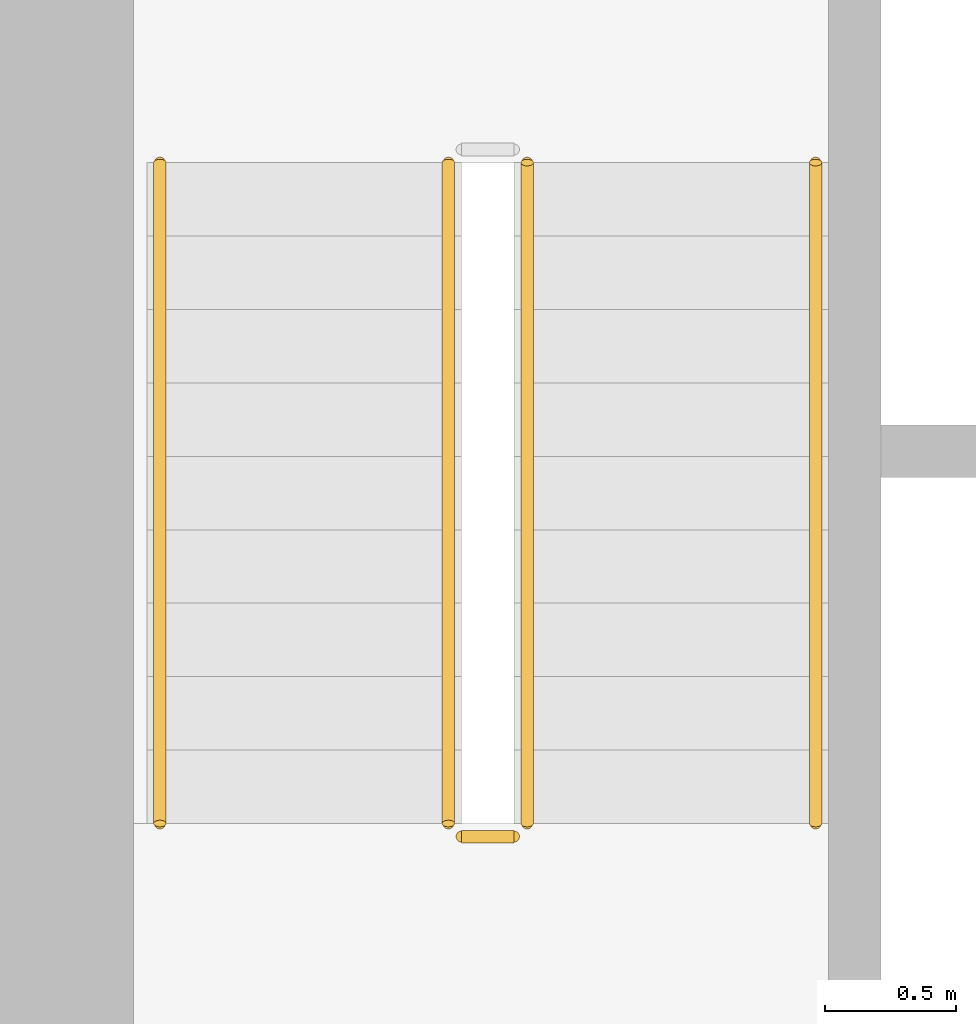
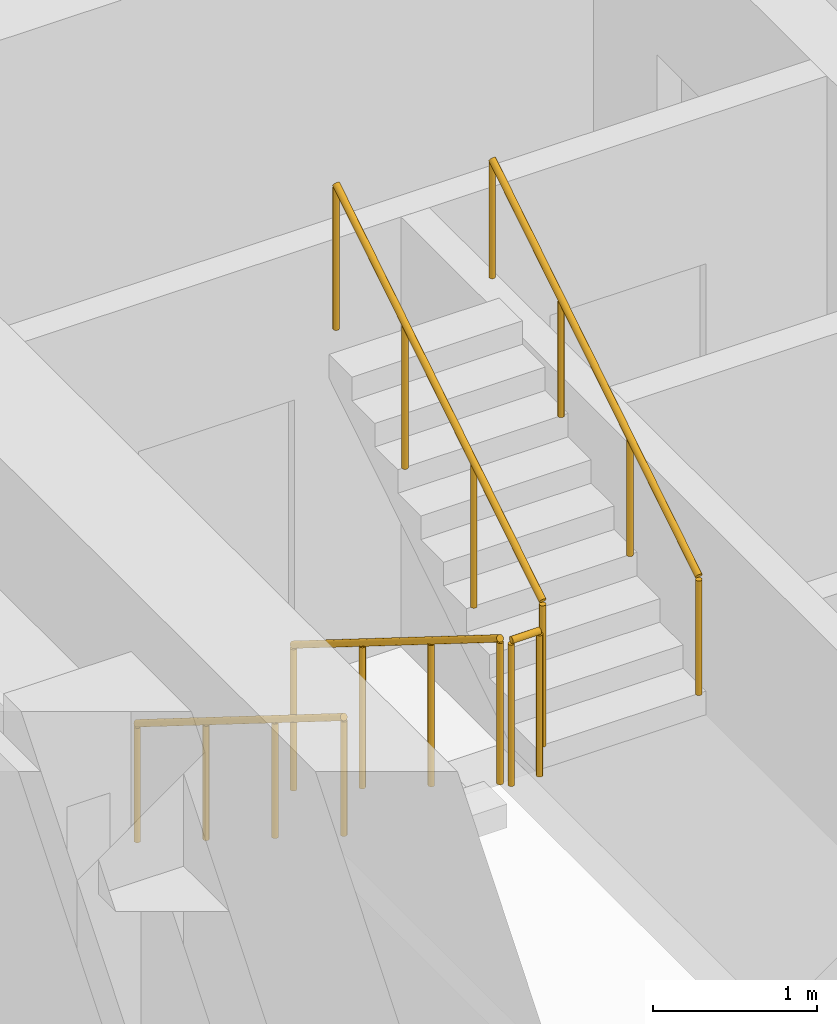
# One storey, part 14 of 21: 5 railings.
"""IFC4 building model written with IfcOpenShell, lengths in metres."""

import ifcopenshell
import ifcopenshell.guid

model = None  # the IFC model being written
_history = None  # IfcOwnerHistory: only IFC2X3 demands one
_inside = {}  # id of a spatial element -> (the spatial element, [elements in it])
_under = {}  # id of a project, library or spatial element -> (it, [spatial elements below it])
_declared = {}  # id of a project -> (the project, [libraries it declares])
_typed = {}  # id of a type object -> (the type object, [elements of that type])
_made_of = {}  # id of a material, layer set ... -> (it, [elements and type objects made of it])


def new_model(schema):
    """Start an empty IFC model of exactly this schema.

    Asked for "IFC4X3", IfcOpenShell would pick the latest addendum, in which some entities
    have other attributes; the version numbers below select the first issue.
    IFC2X3 requires an IfcOwnerHistory on every rooted entity: one is made here for all.
    """
    global model, _history
    if schema == "IFC4X3":
        model = ifcopenshell.file(schema_version=(4, 3, 0, 0))
    else:
        model = ifcopenshell.file(schema=schema)
    _inside.clear()
    _under.clear()
    _declared.clear()
    _typed.clear()
    _made_of.clear()
    _history = None
    if model.schema == "IFC2X3":
        org = make("IfcOrganization", Name="unknown")
        user = make(
            "IfcPersonAndOrganization",
            ThePerson=make("IfcPerson", FamilyName="unknown"),
            TheOrganization=org,
        )
        app = make(
            "IfcApplication",
            ApplicationDeveloper=org,
            Version="unknown",
            ApplicationFullName="unknown",
            ApplicationIdentifier="unknown",
        )
        _history = make(
            "IfcOwnerHistory",
            OwningUser=user,
            OwningApplication=app,
            ChangeAction="ADDED",
            CreationDate=0,
        )
    return model


def make(cls, **values):
    """One entity of the class cls with the attributes given. An attribute that is None is left unset."""
    return model.create_entity(
        cls, **{name: value for name, value in values.items() if value is not None}
    )


def rooted(cls, **values):
    """An entity with a GlobalId (a new one), such as an element, a storey or a relation."""
    return make(cls, GlobalId=ifcopenshell.guid.new(), OwnerHistory=_history, **values)


def si_unit(unit_type, name, prefix=None):
    """IfcSIUnit, for example si_unit("LENGTHUNIT", "METRE", prefix="MILLI")."""
    return make("IfcSIUnit", UnitType=unit_type, Prefix=prefix, Name=name)


def assignment(units):
    """IfcUnitAssignment: the units of a project."""
    return None if units is None else make("IfcUnitAssignment", Units=units)


def point(xyz):
    """IfcCartesianPoint."""
    return None if xyz is None else make("IfcCartesianPoint", Coordinates=xyz)


def direction(xyz):
    """IfcDirection."""
    return None if xyz is None else make("IfcDirection", DirectionRatios=xyz)


def frame(location, z_axis=None, x_axis=None):
    """IfcAxis2Placement3D, a coordinate frame: its origin and axes. An axis left out is left unset."""
    return make(
        "IfcAxis2Placement3D",
        Location=point(location),
        Axis=direction(z_axis),
        RefDirection=direction(x_axis),
    )


def frame_2d(location, x_axis=None):
    """IfcAxis2Placement2D, a coordinate frame in the plane: its origin and x axis."""
    return make(
        "IfcAxis2Placement2D", Location=point(location), RefDirection=direction(x_axis)
    )


def origin():
    """The frame at (0, 0, 0) with its axes left unset."""
    return frame((0.0, 0.0, 0.0))


def origin_2d():
    """The frame at (0, 0) in the plane with its x axis left unset."""
    return frame_2d((0.0, 0.0))


def place(relative_to, where):
    """IfcLocalPlacement: puts the frame where relative to a parent placement (None: the world)."""
    return make(
        "IfcLocalPlacement", PlacementRelTo=relative_to, RelativePlacement=where
    )


def context(
    kind, dimensions, precision=None, world=None, true_north=None, identifier=None
):
    """IfcGeometricRepresentationContext, for example the 3D "Model" context."""
    return make(
        "IfcGeometricRepresentationContext",
        ContextIdentifier=identifier,
        ContextType=kind,
        CoordinateSpaceDimension=dimensions,
        Precision=precision,
        WorldCoordinateSystem=world,
        TrueNorth=true_north,
    )


def subcontext(parent, identifier, kind, view, scale=None):
    """IfcGeometricRepresentationSubContext, for example "Body" below "Model"."""
    return make(
        "IfcGeometricRepresentationSubContext",
        ContextIdentifier=identifier,
        ContextType=kind,
        ParentContext=parent,
        TargetScale=scale,
        TargetView=view,
    )


def project(units=None, contexts=None):
    """IfcProject with its units and contexts."""
    return rooted(
        "IfcProject",
        Name="project",
        RepresentationContexts=contexts,
        UnitsInContext=assignment(units),
    )


def spatial(cls, under=None, at=None, **own):
    """A site, building, storey or space (cls), placed at a placement, below another one or the project."""
    s = rooted(cls, ObjectPlacement=at, **own)
    if under is not None:
        _under.setdefault(under.id(), (under, []))[1].append(s)
    return s


def profile(cls, at=None, kind="AREA", **sizes):
    """A parametric profile (cls). Its sizes go by their IFC names, for example OverallWidth=200.0."""
    return make(cls, ProfileType=kind, Position=at, **sizes)


def circle(**sizes):
    """IfcCircleProfileDef."""
    return profile("IfcCircleProfileDef", **sizes)


def extrude(swept, where, along, depth):
    """IfcExtrudedAreaSolid: the profile swept, set in the frame where, extruded along a direction by depth."""
    return make(
        "IfcExtrudedAreaSolid",
        SweptArea=swept,
        Position=where,
        ExtrudedDirection=direction(along),
        Depth=depth,
    )


def shape(context_of_items, identifier, shape_type, items):
    """IfcShapeRepresentation: the items that make up one representation, for example the "Body"."""
    return make(
        "IfcShapeRepresentation",
        ContextOfItems=context_of_items,
        RepresentationIdentifier=identifier,
        RepresentationType=shape_type,
        Items=items,
    )


def material(Name=None, Category=None):
    """IfcMaterial."""
    return make("IfcMaterial", Name=Name, Category=Category)


def made_of(thing, what):
    """Note that an element or type object is made of a material, layer set ...; save() writes the relation."""
    if what is not None:
        _made_of.setdefault(what.id(), (what, []))[1].append(thing)
    return thing


def type_object(cls, material=None, **own):
    """A type object (cls), such as IfcWallType, which elements share."""
    return made_of(rooted(cls, **own), material)


def element(
    cls,
    number,
    at=None,
    inside=None,
    cuts=None,
    type_object=None,
    material=None,
    context=None,
    identifier="Body",
    shape_type=None,
    held_by="IfcProductDefinitionShape",
    body=None,
    shapes=None,
    **own,
):
    """One element of the class cls, such as IfcWall. Its Tag is "e" and its number.

    at: its placement. inside: the storey or other place that contains it. cuts: it is an
    opening in that element (IfcRelVoidsElement). A single representation is given by context,
    identifier, shape_type and body (its items); several are given by shapes. held_by: the class
    of the entity that holds the representations. save() writes the other relations.
    """
    e = rooted(cls, Tag="e%d" % number, ObjectPlacement=at, **own)
    if body is not None:
        shapes = [shape(context, identifier, shape_type, body)]
    if shapes is not None:
        e.Representation = make(held_by, Representations=shapes)
    if inside is not None:
        _inside.setdefault(inside.id(), (inside, []))[1].append(e)
    if cuts is not None:
        rooted(
            "IfcRelVoidsElement", RelatingBuildingElement=cuts, RelatedOpeningElement=e
        )
    if type_object is not None:
        _typed.setdefault(type_object.id(), (type_object, []))[1].append(e)
    return made_of(e, material)


def aggregate(whole, parts):
    """IfcRelAggregates: a whole, such as a stair, and the parts it consists of."""
    return rooted("IfcRelAggregates", RelatingObject=whole, RelatedObjects=parts)


def save(model, path):
    """Write the relations noted so far, then the file.

    IfcRelAggregates (storeys below a building ...), IfcRelContainedInSpatialStructure (elements
    in a storey), IfcRelDefinesByType, IfcRelAssociatesMaterial and IfcRelDeclares: one each for
    every whole, place, type object, material and project.
    """
    for whole, parts in _under.values():
        aggregate(whole, parts)
    for where, things in _inside.values():
        rooted(
            "IfcRelContainedInSpatialStructure",
            RelatedElements=things,
            RelatingStructure=where,
        )
    for kind, things in _typed.values():
        rooted("IfcRelDefinesByType", RelatedObjects=things, RelatingType=kind)
    for what, things in _made_of.values():
        rooted("IfcRelAssociatesMaterial", RelatedObjects=things, RelatingMaterial=what)
    for by, libraries in _declared.values():
        rooted("IfcRelDeclares", RelatingContext=by, RelatedDefinitions=libraries)
    model.write(path)


model = new_model("IFC4")

# Units and contexts
model_context = context("Model", 3, precision=1e-05, world=origin(), true_north=direction((0.0, 1.0)))
body_context = subcontext(model_context, "Body", "Model", "MODEL_VIEW")
ifc_project = project(units=[si_unit("LENGTHUNIT", "METRE"), si_unit("AREAUNIT", "SQUARE_METRE"), si_unit("VOLUMEUNIT", "CUBIC_METRE"), si_unit("PLANEANGLEUNIT", "RADIAN"), si_unit("MASSUNIT", "GRAM", prefix="KILO")], contexts=[model_context])

# Site, building, storey
site_placement = place(None, origin())
site = spatial("IfcSite", under=ifc_project, at=site_placement, CompositionType="ELEMENT")
building_placement = place(site_placement, origin())
building = spatial("IfcBuilding", under=site, at=building_placement, Name="Kiln Ring Residences", CompositionType="ELEMENT")
storey_placement = place(building_placement, frame((0.0, 0.0, 199.39990234375)))
storey = spatial("IfcBuildingStorey", under=building, at=storey_placement, Name="L51", CompositionType="ELEMENT", Elevation=199.39990234375)

# Railings
ifc_material_1 = material(Name="Stainless steel", Category="steel")
railing_type_1 = type_object("IfcRailingType", Name="CORE-STAIR-GUARD", PredefinedType="GUARDRAIL", material=ifc_material_1)
railing_1_placement = place(storey_placement, frame((-22.25, 8.39990234375, 0.175048828125)))
element("IfcRailing", 1, at=railing_1_placement, inside=storey, type_object=railing_type_1, Name="L51 W-STN stair guard 1", PredefinedType="GUARDRAIL", context=body_context, shape_type="SweptSolid", body=[
    extrude(circle(Radius=0.02392578125, at=origin_2d()), frame((0.0, 0.0, 1.076171875), z_axis=(0.0, -0.848007534815, 0.529984170421), x_axis=(1.0, 0.0, 0.0)), (0.0, 0.0, 1.0), 2.9716796875),
    extrude(circle(Radius=0.02099609375, at=origin_2d()), origin(), (0.0, 0.0, 1.0), 1.052001953125),
    extrude(circle(Radius=0.02099609375, at=origin_2d()), frame((0.0, -0.840087890625, 0.52490234375)), (0.0, 0.0, 1.0), 1.052001953125),
    extrude(circle(Radius=0.02099609375, at=origin_2d()), frame((0.0, -1.679931640625, 1.050048828125)), (0.0, 0.0, 1.0), 1.052001953125),
    extrude(circle(Radius=0.02099609375, at=origin_2d()), frame((0.0, -2.52001953125, 1.574951171875)), (0.0, 0.0, 1.0), 1.052001953125),
])
railing_2_placement = place(storey_placement, frame((-22.199951171875, 5.830078125, 1.75)))
element("IfcRailing", 2, at=railing_2_placement, inside=storey, type_object=railing_type_1, Name="L51 W-STN stair guard 2", PredefinedType="GUARDRAIL", context=body_context, shape_type="SweptSolid", body=[
    extrude(circle(Radius=0.02392578125, at=origin_2d()), frame((0.0, 0.0, 1.076171875), z_axis=(1.0, 0.0, 0.0), x_axis=(0.0, 1.0, 0.0)), (0.0, 0.0, 1.0), 0.199951171875),
    extrude(circle(Radius=0.02099609375, at=origin_2d()), origin(), (0.0, 0.0, 1.0), 1.052001953125),
    extrude(circle(Radius=0.02099609375, at=origin_2d()), frame((0.199951171875, 0.0, 0.0)), (0.0, 0.0, 1.0), 1.052001953125),
])
railing_3_placement = place(storey_placement, frame((-21.949951171875, 5.8798828125, 1.925048828125)))
element("IfcRailing", 3, at=railing_3_placement, inside=storey, type_object=railing_type_1, Name="L51 W-STN stair guard 3", PredefinedType="GUARDRAIL", context=body_context, shape_type="SweptSolid", body=[
    extrude(circle(Radius=0.02392578125, at=origin_2d()), frame((0.0, 0.0, 1.076171875), z_axis=(0.0, 0.848007534815, 0.529984170421), x_axis=(-1.0, 0.0, 0.0)), (0.0, 0.0, 1.0), 2.9716796875),
    extrude(circle(Radius=0.02099609375, at=origin_2d()), origin(), (0.0, 0.0, 1.0), 1.052001953125),
    extrude(circle(Radius=0.02099609375, at=origin_2d()), frame((0.0, 0.840087890625, 0.52490234375)), (0.0, 0.0, 1.0), 1.052001953125),
    extrude(circle(Radius=0.02099609375, at=origin_2d()), frame((0.0, 1.679931640625, 1.050048828125)), (0.0, 0.0, 1.0), 1.052001953125),
    extrude(circle(Radius=0.02099609375, at=origin_2d()), frame((0.0, 2.52001953125, 1.574951171875)), (0.0, 0.0, 1.0), 1.052001953125),
])
ifc_material_2 = material(Name="Stainless steel", Category="steel")
railing_type_2 = type_object("IfcRailingType", Name="CORE-STAIR-HANDRAIL", PredefinedType="HANDRAIL", material=ifc_material_2)
railing_4_placement = place(storey_placement, frame((-23.35009765625, 8.39990234375, 0.175048828125)))
element("IfcRailing", 4, at=railing_4_placement, inside=storey, type_object=railing_type_2, Name="L51 W-STN stair handrail 1", PredefinedType="HANDRAIL", context=body_context, shape_type="SweptSolid", body=[
    extrude(circle(Radius=0.02392578125, at=origin_2d()), frame((0.0, 0.0, 0.8759765625), z_axis=(0.0, -0.848007534815, 0.529984170421), x_axis=(1.0, 0.0, 0.0)), (0.0, 0.0, 1.0), 2.9716796875),
    extrude(circle(Radius=0.02099609375, at=origin_2d()), origin(), (0.0, 0.0, 1.0), 0.851806640625),
    extrude(circle(Radius=0.02099609375, at=origin_2d()), frame((0.0, -0.840087890625, 0.52490234375)), (0.0, 0.0, 1.0), 0.851806640625),
    extrude(circle(Radius=0.02099609375, at=origin_2d()), frame((0.0, -1.679931640625, 1.050048828125)), (0.0, 0.0, 1.0), 0.851806640625),
    extrude(circle(Radius=0.02099609375, at=origin_2d()), frame((0.0, -2.52001953125, 1.574951171875)), (0.0, 0.0, 1.0), 0.851806640625),
])
railing_5_placement = place(storey_placement, frame((-20.85009765625, 5.8798828125, 1.925048828125)))
element("IfcRailing", 5, at=railing_5_placement, inside=storey, type_object=railing_type_2, Name="L51 W-STN stair handrail 2", PredefinedType="HANDRAIL", context=body_context, shape_type="SweptSolid", body=[
    extrude(circle(Radius=0.02392578125, at=origin_2d()), frame((0.0, 0.0, 0.8759765625), z_axis=(0.0, 0.848007534815, 0.529984170421), x_axis=(-1.0, 0.0, 0.0)), (0.0, 0.0, 1.0), 2.9716796875),
    extrude(circle(Radius=0.02099609375, at=origin_2d()), origin(), (0.0, 0.0, 1.0), 0.851806640625),
    extrude(circle(Radius=0.02099609375, at=origin_2d()), frame((0.0, 0.840087890625, 0.52490234375)), (0.0, 0.0, 1.0), 0.851806640625),
    extrude(circle(Radius=0.02099609375, at=origin_2d()), frame((0.0, 1.679931640625, 1.050048828125)), (0.0, 0.0, 1.0), 0.851806640625),
    extrude(circle(Radius=0.02099609375, at=origin_2d()), frame((0.0, 2.52001953125, 1.574951171875)), (0.0, 0.0, 1.0), 0.851806640625),
])

save(model, "model.ifc")
